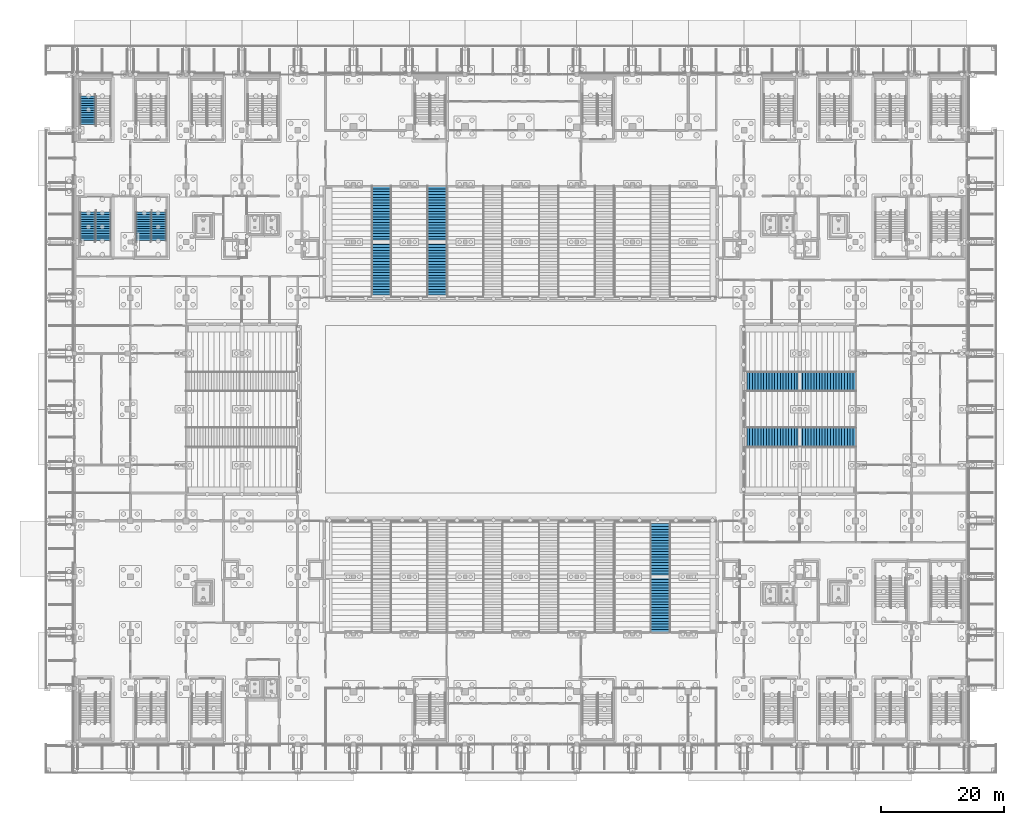
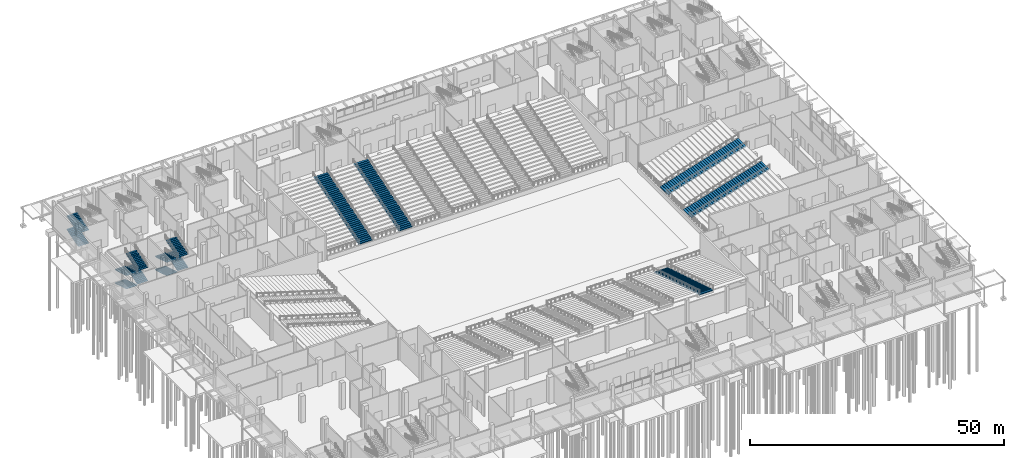
# One storey, part 90 of 129: 15 stair flights, 8 elements without a shape of their own.
"""IFC4 building model written with IfcOpenShell, lengths in metres."""

from ifc_helpers import new_model, si_unit, direction, frame, origin, place, context, subcontext, project, spatial, polyline, outline, extrude, material, type_object, element, aggregate, save


model = new_model("IFC4")

# Units and contexts
model_context = context("Model", 3, precision=1e-05, world=origin(), true_north=direction((0.0, 1.0)))
body_context = subcontext(model_context, "Body", "Model", "MODEL_VIEW")
ifc_project = project(units=[si_unit("LENGTHUNIT", "METRE"), si_unit("AREAUNIT", "SQUARE_METRE"), si_unit("VOLUMEUNIT", "CUBIC_METRE"), si_unit("PLANEANGLEUNIT", "RADIAN"), si_unit("MASSUNIT", "GRAM", prefix="KILO")], contexts=[model_context])

# Site, building, storey
site_placement = place(None, origin())
site = spatial("IfcSite", under=ifc_project, at=site_placement, CompositionType="ELEMENT")
building_placement = place(site_placement, origin())
building = spatial("IfcBuilding", under=site, at=building_placement, Name="Shirokan Park Arena", CompositionType="ELEMENT")
storey_placement = place(building_placement, origin())
storey = spatial("IfcBuildingStorey", under=building, at=storey_placement, Name="L00", CompositionType="ELEMENT", Elevation=0.0)

# Stair, stair flights
ifc_material = material(Name="Concrete C30 precast", Category="concrete")
stair_type_1 = type_object("IfcStairType", Name="Stair 52 risers 122 x 385 2400 wide", PredefinedType="DOUBLE_RETURN_STAIR", material=ifc_material)
stair_1_placement = place(storey_placement, origin())
stair_1 = element("IfcStair", 1, at=stair_1_placement, inside=storey, type_object=stair_type_1, Name="Exit Stair 4.A L00 to L01", PredefinedType="DOUBLE_RETURN_STAIR")
stair_flight_type_1 = type_object("IfcStairFlightType", Name="Stair flight 13 risers 122 x 385 2400 wide", PredefinedType="STRAIGHT", material=ifc_material)
stair_flight_1_placement = place(storey_placement, frame((2.14990234375, 101.050048828125, 0.0), z_axis=(0.0, 0.0, 1.0), x_axis=(0.0, 1.0, 0.0)))
stair_flight_1 = element("IfcStairFlight", 2, at=stair_flight_1_placement, type_object=stair_flight_type_1, Name="ST10.1 flight 1", NumberOfRisers=13, NumberOfTreads=12, PredefinedType="STRAIGHT", RiserHeight=0.1225, TreadLength=0.385, context=body_context, shape_type="SweptSolid", body=[
    extrude(outline(polyline([(0.0, 0.0), (0.0, 0.12255859375), (0.385009765625, 0.12255859375), (0.385009765625, 0.2451171875), (0.77001953125, 0.2451171875), (0.77001953125, 0.367431640625), (1.155029296875, 0.367431640625), (1.155029296875, 0.489990234375), (1.5400390625, 0.489990234375), (1.5400390625, 0.612548828125), (1.925048828125, 0.612548828125), (1.925048828125, 0.735107421875), (2.31005859375, 0.735107421875), (2.31005859375, 0.857421875), (2.695068359375, 0.857421875), (2.695068359375, 0.97998046875), (3.080078125, 0.97998046875), (3.080078125, 1.1025390625), (3.465087890625, 1.1025390625), (3.465087890625, 1.22509765625), (3.85009765625, 1.22509765625), (3.85009765625, 1.347412109375), (4.235107421875, 1.347412109375), (4.235107421875, 1.469970703125), (4.6201171875, 1.469970703125), (4.6201171875, 1.592529296875), (4.6201171875, 1.312744140625), (0.494384765625, 0.0), (0.0, 0.0)])), frame((0.0, 1.199951171875, 0.0), z_axis=(0.0, -1.0, 0.0), x_axis=(1.0, 0.0, 0.0)), (0.0, 0.0, 1.0), 2.39990234375),
])
stair_flight_2_placement = place(storey_placement, frame((2.14990234375, 101.050048828125, 3.18505859375), z_axis=(0.0, 0.0, 1.0), x_axis=(0.0, 1.0, 0.0)))
stair_flight_2 = element("IfcStairFlight", 3, at=stair_flight_2_placement, type_object=stair_flight_type_1, Name="ST10.1 flight 3", NumberOfRisers=13, NumberOfTreads=12, PredefinedType="STRAIGHT", RiserHeight=0.1225, TreadLength=0.385, context=body_context, shape_type="SweptSolid", body=[
    extrude(outline(polyline([(0.0, 0.0), (0.0, 0.12255859375), (0.385009765625, 0.12255859375), (0.385009765625, 0.2451171875), (0.77001953125, 0.2451171875), (0.77001953125, 0.367431640625), (1.155029296875, 0.367431640625), (1.155029296875, 0.489990234375), (1.5400390625, 0.489990234375), (1.5400390625, 0.612548828125), (1.925048828125, 0.612548828125), (1.925048828125, 0.735107421875), (2.31005859375, 0.735107421875), (2.31005859375, 0.857421875), (2.695068359375, 0.857421875), (2.695068359375, 0.97998046875), (3.080078125, 0.97998046875), (3.080078125, 1.1025390625), (3.465087890625, 1.1025390625), (3.465087890625, 1.22509765625), (3.85009765625, 1.22509765625), (3.85009765625, 1.347412109375), (4.235107421875, 1.347412109375), (4.235107421875, 1.469970703125), (4.6201171875, 1.469970703125), (4.6201171875, 1.592529296875), (4.6201171875, 1.312744140625), (0.494384765625, 0.0), (0.0, 0.0)])), frame((0.0, 1.199951171875, 0.0), z_axis=(0.0, -1.0, 0.0), x_axis=(1.0, 0.0, 0.0)), (0.0, 0.0, 1.0), 2.39990234375),
])
aggregate(stair_1, [stair_flight_1, stair_flight_2])

stair_2_placement = place(storey_placement, origin())
stair_2 = element("IfcStair", 4, at=stair_2_placement, inside=storey, type_object=stair_type_1, Name="Exit Stair 4.E L00 to L01", PredefinedType="DOUBLE_RETURN_STAIR")
stair_flight_3_placement = place(storey_placement, frame((2.14990234375, 86.75, 0.0), z_axis=(0.0, 0.0, 1.0), x_axis=(0.0, -1.0, 0.0)))
stair_flight_3 = element("IfcStairFlight", 5, at=stair_flight_3_placement, type_object=stair_flight_type_1, Name="ST14.1 flight 1", NumberOfRisers=13, NumberOfTreads=12, PredefinedType="STRAIGHT", RiserHeight=0.1225, TreadLength=0.385, context=body_context, shape_type="SweptSolid", body=[
    extrude(outline(polyline([(0.0, 0.0), (0.0, 0.12255859375), (0.385009765625, 0.12255859375), (0.385009765625, 0.2451171875), (0.77001953125, 0.2451171875), (0.77001953125, 0.367431640625), (1.155029296875, 0.367431640625), (1.155029296875, 0.489990234375), (1.5400390625, 0.489990234375), (1.5400390625, 0.612548828125), (1.925048828125, 0.612548828125), (1.925048828125, 0.735107421875), (2.31005859375, 0.735107421875), (2.31005859375, 0.857421875), (2.695068359375, 0.857421875), (2.695068359375, 0.97998046875), (3.080078125, 0.97998046875), (3.080078125, 1.1025390625), (3.465087890625, 1.1025390625), (3.465087890625, 1.22509765625), (3.85009765625, 1.22509765625), (3.85009765625, 1.347412109375), (4.235107421875, 1.347412109375), (4.235107421875, 1.469970703125), (4.6201171875, 1.469970703125), (4.6201171875, 1.592529296875), (4.6201171875, 1.312744140625), (0.494384765625, 0.0), (0.0, 0.0)])), frame((0.0, 1.199951171875, 0.0), z_axis=(0.0, -1.0, 0.0), x_axis=(1.0, 0.0, 0.0)), (0.0, 0.0, 1.0), 2.39990234375),
])
stair_flight_4_placement = place(storey_placement, frame((4.64990234375, 82.1298828125, 1.592529296875), z_axis=(0.0, 0.0, 1.0), x_axis=(0.0, 1.0, 0.0)))
stair_flight_4 = element("IfcStairFlight", 6, at=stair_flight_4_placement, type_object=stair_flight_type_1, Name="ST14.1 flight 2", NumberOfRisers=13, NumberOfTreads=12, PredefinedType="STRAIGHT", RiserHeight=0.1225, TreadLength=0.385, context=body_context, shape_type="SweptSolid", body=[
    extrude(outline(polyline([(0.0, 0.0), (0.0, 0.12255859375), (0.385009765625, 0.12255859375), (0.385009765625, 0.2451171875), (0.77001953125, 0.2451171875), (0.77001953125, 0.367431640625), (1.155029296875, 0.367431640625), (1.155029296875, 0.489990234375), (1.5400390625, 0.489990234375), (1.5400390625, 0.612548828125), (1.925048828125, 0.612548828125), (1.925048828125, 0.735107421875), (2.31005859375, 0.735107421875), (2.31005859375, 0.857421875), (2.695068359375, 0.857421875), (2.695068359375, 0.97998046875), (3.080078125, 0.97998046875), (3.080078125, 1.1025390625), (3.465087890625, 1.1025390625), (3.465087890625, 1.22509765625), (3.85009765625, 1.22509765625), (3.85009765625, 1.347412109375), (4.235107421875, 1.347412109375), (4.235107421875, 1.469970703125), (4.6201171875, 1.469970703125), (4.6201171875, 1.592529296875), (4.6201171875, 1.312744140625), (0.494384765625, 0.0), (0.0, 0.0)])), frame((0.0, 1.199951171875, 0.0), z_axis=(0.0, -1.0, 0.0), x_axis=(1.0, 0.0, 0.0)), (0.0, 0.0, 1.0), 2.39990234375),
])
stair_flight_5_placement = place(storey_placement, frame((2.14990234375, 86.75, 3.18505859375), z_axis=(0.0, 0.0, 1.0), x_axis=(0.0, -1.0, 0.0)))
stair_flight_5 = element("IfcStairFlight", 7, at=stair_flight_5_placement, type_object=stair_flight_type_1, Name="ST14.1 flight 3", NumberOfRisers=13, NumberOfTreads=12, PredefinedType="STRAIGHT", RiserHeight=0.1225, TreadLength=0.385, context=body_context, shape_type="SweptSolid", body=[
    extrude(outline(polyline([(0.0, 0.0), (0.0, 0.12255859375), (0.385009765625, 0.12255859375), (0.385009765625, 0.2451171875), (0.77001953125, 0.2451171875), (0.77001953125, 0.367431640625), (1.155029296875, 0.367431640625), (1.155029296875, 0.489990234375), (1.5400390625, 0.489990234375), (1.5400390625, 0.612548828125), (1.925048828125, 0.612548828125), (1.925048828125, 0.735107421875), (2.31005859375, 0.735107421875), (2.31005859375, 0.857421875), (2.695068359375, 0.857421875), (2.695068359375, 0.97998046875), (3.080078125, 0.97998046875), (3.080078125, 1.1025390625), (3.465087890625, 1.1025390625), (3.465087890625, 1.22509765625), (3.85009765625, 1.22509765625), (3.85009765625, 1.347412109375), (4.235107421875, 1.347412109375), (4.235107421875, 1.469970703125), (4.6201171875, 1.469970703125), (4.6201171875, 1.592529296875), (4.6201171875, 1.312744140625), (0.494384765625, 0.0), (0.0, 0.0)])), frame((0.0, 1.199951171875, 0.0), z_axis=(0.0, -1.0, 0.0), x_axis=(1.0, 0.0, 0.0)), (0.0, 0.0, 1.0), 2.39990234375),
])
stair_flight_6_placement = place(storey_placement, frame((4.64990234375, 82.1298828125, 4.777587890625), z_axis=(0.0, 0.0, 1.0), x_axis=(0.0, 1.0, 0.0)))
stair_flight_6 = element("IfcStairFlight", 8, at=stair_flight_6_placement, type_object=stair_flight_type_1, Name="ST14.1 flight 4", NumberOfRisers=13, NumberOfTreads=12, PredefinedType="STRAIGHT", RiserHeight=0.1225, TreadLength=0.385, context=body_context, shape_type="SweptSolid", body=[
    extrude(outline(polyline([(0.0, 0.0), (0.0, 0.12255859375), (0.385009765625, 0.12255859375), (0.385009765625, 0.2451171875), (0.77001953125, 0.2451171875), (0.77001953125, 0.367431640625), (1.155029296875, 0.367431640625), (1.155029296875, 0.489990234375), (1.5400390625, 0.489990234375), (1.5400390625, 0.612548828125), (1.925048828125, 0.612548828125), (1.925048828125, 0.735107421875), (2.31005859375, 0.735107421875), (2.31005859375, 0.857421875), (2.695068359375, 0.857421875), (2.695068359375, 0.97998046875), (3.080078125, 0.97998046875), (3.080078125, 1.1025390625), (3.465087890625, 1.1025390625), (3.465087890625, 1.22509765625), (3.85009765625, 1.22509765625), (3.85009765625, 1.347412109375), (4.235107421875, 1.347412109375), (4.235107421875, 1.469970703125), (4.6201171875, 1.469970703125), (4.6201171875, 1.592529296875), (4.6201171875, 1.312744140625), (0.494384765625, 0.0), (0.0, 0.0)])), frame((0.0, 1.199951171875, 0.0), z_axis=(0.0, -1.0, 0.0), x_axis=(1.0, 0.0, 0.0)), (0.0, 0.0, 1.0), 2.39990234375),
])
aggregate(stair_2, [stair_flight_3, stair_flight_4, stair_flight_5, stair_flight_6])

stair_3_placement = place(storey_placement, origin())
stair_3 = element("IfcStair", 9, at=stair_3_placement, inside=storey, type_object=stair_type_1, Name="Exit Stair 4.F L00 to L01", PredefinedType="DOUBLE_RETURN_STAIR")
stair_flight_7_placement = place(storey_placement, frame((11.25, 86.75, 0.0), z_axis=(0.0, 0.0, 1.0), x_axis=(0.0, -1.0, 0.0)))
stair_flight_7 = element("IfcStairFlight", 10, at=stair_flight_7_placement, type_object=stair_flight_type_1, Name="ST15.1 flight 1", NumberOfRisers=13, NumberOfTreads=12, PredefinedType="STRAIGHT", RiserHeight=0.1225, TreadLength=0.385, context=body_context, shape_type="SweptSolid", body=[
    extrude(outline(polyline([(0.0, 0.0), (0.0, 0.12255859375), (0.385009765625, 0.12255859375), (0.385009765625, 0.2451171875), (0.77001953125, 0.2451171875), (0.77001953125, 0.367431640625), (1.155029296875, 0.367431640625), (1.155029296875, 0.489990234375), (1.5400390625, 0.489990234375), (1.5400390625, 0.612548828125), (1.925048828125, 0.612548828125), (1.925048828125, 0.735107421875), (2.31005859375, 0.735107421875), (2.31005859375, 0.857421875), (2.695068359375, 0.857421875), (2.695068359375, 0.97998046875), (3.080078125, 0.97998046875), (3.080078125, 1.1025390625), (3.465087890625, 1.1025390625), (3.465087890625, 1.22509765625), (3.85009765625, 1.22509765625), (3.85009765625, 1.347412109375), (4.235107421875, 1.347412109375), (4.235107421875, 1.469970703125), (4.6201171875, 1.469970703125), (4.6201171875, 1.592529296875), (4.6201171875, 1.312744140625), (0.494384765625, 0.0), (0.0, 0.0)])), frame((0.0, 1.199951171875, 0.0), z_axis=(0.0, -1.0, 0.0), x_axis=(1.0, 0.0, 0.0)), (0.0, 0.0, 1.0), 2.39990234375),
])
stair_flight_8_placement = place(storey_placement, frame((13.75, 82.1298828125, 1.592529296875), z_axis=(0.0, 0.0, 1.0), x_axis=(0.0, 1.0, 0.0)))
stair_flight_8 = element("IfcStairFlight", 11, at=stair_flight_8_placement, type_object=stair_flight_type_1, Name="ST15.1 flight 2", NumberOfRisers=13, NumberOfTreads=12, PredefinedType="STRAIGHT", RiserHeight=0.1225, TreadLength=0.385, context=body_context, shape_type="SweptSolid", body=[
    extrude(outline(polyline([(0.0, 0.0), (0.0, 0.12255859375), (0.385009765625, 0.12255859375), (0.385009765625, 0.2451171875), (0.77001953125, 0.2451171875), (0.77001953125, 0.367431640625), (1.155029296875, 0.367431640625), (1.155029296875, 0.489990234375), (1.5400390625, 0.489990234375), (1.5400390625, 0.612548828125), (1.925048828125, 0.612548828125), (1.925048828125, 0.735107421875), (2.31005859375, 0.735107421875), (2.31005859375, 0.857421875), (2.695068359375, 0.857421875), (2.695068359375, 0.97998046875), (3.080078125, 0.97998046875), (3.080078125, 1.1025390625), (3.465087890625, 1.1025390625), (3.465087890625, 1.22509765625), (3.85009765625, 1.22509765625), (3.85009765625, 1.347412109375), (4.235107421875, 1.347412109375), (4.235107421875, 1.469970703125), (4.6201171875, 1.469970703125), (4.6201171875, 1.592529296875), (4.6201171875, 1.312744140625), (0.494384765625, 0.0), (0.0, 0.0)])), frame((0.0, 1.199951171875, 0.0), z_axis=(0.0, -1.0, 0.0), x_axis=(1.0, 0.0, 0.0)), (0.0, 0.0, 1.0), 2.39990234375),
])
stair_flight_9_placement = place(storey_placement, frame((11.25, 86.75, 3.18505859375), z_axis=(0.0, 0.0, 1.0), x_axis=(0.0, -1.0, 0.0)))
stair_flight_9 = element("IfcStairFlight", 12, at=stair_flight_9_placement, type_object=stair_flight_type_1, Name="ST15.1 flight 3", NumberOfRisers=13, NumberOfTreads=12, PredefinedType="STRAIGHT", RiserHeight=0.1225, TreadLength=0.385, context=body_context, shape_type="SweptSolid", body=[
    extrude(outline(polyline([(0.0, 0.0), (0.0, 0.12255859375), (0.385009765625, 0.12255859375), (0.385009765625, 0.2451171875), (0.77001953125, 0.2451171875), (0.77001953125, 0.367431640625), (1.155029296875, 0.367431640625), (1.155029296875, 0.489990234375), (1.5400390625, 0.489990234375), (1.5400390625, 0.612548828125), (1.925048828125, 0.612548828125), (1.925048828125, 0.735107421875), (2.31005859375, 0.735107421875), (2.31005859375, 0.857421875), (2.695068359375, 0.857421875), (2.695068359375, 0.97998046875), (3.080078125, 0.97998046875), (3.080078125, 1.1025390625), (3.465087890625, 1.1025390625), (3.465087890625, 1.22509765625), (3.85009765625, 1.22509765625), (3.85009765625, 1.347412109375), (4.235107421875, 1.347412109375), (4.235107421875, 1.469970703125), (4.6201171875, 1.469970703125), (4.6201171875, 1.592529296875), (4.6201171875, 1.312744140625), (0.494384765625, 0.0), (0.0, 0.0)])), frame((0.0, 1.199951171875, 0.0), z_axis=(0.0, -1.0, 0.0), x_axis=(1.0, 0.0, 0.0)), (0.0, 0.0, 1.0), 2.39990234375),
])
stair_flight_10_placement = place(storey_placement, frame((13.75, 82.1298828125, 4.777587890625), z_axis=(0.0, 0.0, 1.0), x_axis=(0.0, 1.0, 0.0)))
stair_flight_10 = element("IfcStairFlight", 13, at=stair_flight_10_placement, type_object=stair_flight_type_1, Name="ST15.1 flight 4", NumberOfRisers=13, NumberOfTreads=12, PredefinedType="STRAIGHT", RiserHeight=0.1225, TreadLength=0.385, context=body_context, shape_type="SweptSolid", body=[
    extrude(outline(polyline([(0.0, 0.0), (0.0, 0.12255859375), (0.385009765625, 0.12255859375), (0.385009765625, 0.2451171875), (0.77001953125, 0.2451171875), (0.77001953125, 0.367431640625), (1.155029296875, 0.367431640625), (1.155029296875, 0.489990234375), (1.5400390625, 0.489990234375), (1.5400390625, 0.612548828125), (1.925048828125, 0.612548828125), (1.925048828125, 0.735107421875), (2.31005859375, 0.735107421875), (2.31005859375, 0.857421875), (2.695068359375, 0.857421875), (2.695068359375, 0.97998046875), (3.080078125, 0.97998046875), (3.080078125, 1.1025390625), (3.465087890625, 1.1025390625), (3.465087890625, 1.22509765625), (3.85009765625, 1.22509765625), (3.85009765625, 1.347412109375), (4.235107421875, 1.347412109375), (4.235107421875, 1.469970703125), (4.6201171875, 1.469970703125), (4.6201171875, 1.592529296875), (4.6201171875, 1.312744140625), (0.494384765625, 0.0), (0.0, 0.0)])), frame((0.0, 1.199951171875, 0.0), z_axis=(0.0, -1.0, 0.0), x_axis=(1.0, 0.0, 0.0)), (0.0, 0.0, 1.0), 2.39990234375),
])
aggregate(stair_3, [stair_flight_7, stair_flight_8, stair_flight_9, stair_flight_10])

# Stair, stair flight
stair_type_2 = type_object("IfcStairType", Name="Stair 40 risers 140 x 455 3200 wide", PredefinedType="STRAIGHT_RUN_STAIR", material=ifc_material)
stair_4_placement = place(storey_placement, origin())
stair_4 = element("IfcStair", 14, at=stair_4_placement, inside=storey, type_object=stair_type_2, Name="Vomitory stair N1 lower", PredefinedType="STRAIGHT_RUN_STAIR")
stair_flight_type_2 = type_object("IfcStairFlightType", Name="Stair flight 40 risers 140 x 455 3200 wide", PredefinedType="STRAIGHT", material=ifc_material)
stair_flight_11_placement = place(storey_placement, frame((50.050048828125, 73.2548828125, 0.77001953125), z_axis=(0.0, 0.0, 1.0), x_axis=(0.0, 1.0, 0.0)))
stair_flight_11 = element("IfcStairFlight", 15, at=stair_flight_11_placement, type_object=stair_flight_type_2, Name="VS-N1L flight 1", NumberOfRisers=40, NumberOfTreads=39, PredefinedType="STRAIGHT", RiserHeight=0.14, TreadLength=0.455, context=body_context, shape_type="SweptSolid", body=[
    extrude(outline(polyline([(0.0, -0.0693359375), (0.0, 0.0), (0.0, 0.139892578125), (0.455078125, 0.139892578125), (0.455078125, 0.280029296875), (0.909912109375, 0.280029296875), (0.909912109375, 0.419921875), (1.364990234375, 0.419921875), (1.364990234375, 0.56005859375), (1.820068359375, 0.56005859375), (1.820068359375, 0.699951171875), (2.27490234375, 0.699951171875), (2.27490234375, 0.840087890625), (2.72998046875, 0.840087890625), (2.72998046875, 0.97998046875), (3.18505859375, 0.97998046875), (3.18505859375, 1.1201171875), (3.639892578125, 1.1201171875), (3.639892578125, 1.260009765625), (4.094970703125, 1.260009765625), (4.094970703125, 1.39990234375), (4.550048828125, 1.39990234375), (4.550048828125, 1.5400390625), (5.0048828125, 1.5400390625), (5.0048828125, 1.679931640625), (5.4599609375, 1.679931640625), (5.4599609375, 1.820068359375), (5.9150390625, 1.820068359375), (5.9150390625, 1.9599609375), (6.3701171875, 1.9599609375), (6.3701171875, 2.10009765625), (6.824951171875, 2.10009765625), (6.824951171875, 2.239990234375), (7.280029296875, 2.239990234375), (7.280029296875, 2.3798828125), (7.735107421875, 2.3798828125), (7.735107421875, 2.52001953125), (8.18994140625, 2.52001953125), (8.18994140625, 2.659912109375), (8.64501953125, 2.659912109375), (8.64501953125, 2.800048828125), (9.10009765625, 2.800048828125), (9.10009765625, 2.93994140625), (9.554931640625, 2.93994140625), (9.554931640625, 3.080078125), (10.010009765625, 3.080078125), (10.010009765625, 3.219970703125), (10.465087890625, 3.219970703125), (10.465087890625, 3.360107421875), (10.919921875, 3.360107421875), (10.919921875, 3.5), (11.375, 3.5), (11.375, 3.639892578125), (11.830078125, 3.639892578125), (11.830078125, 3.780029296875), (12.284912109375, 3.780029296875), (12.284912109375, 3.919921875), (12.739990234375, 3.919921875), (12.739990234375, 4.06005859375), (13.195068359375, 4.06005859375), (13.195068359375, 4.199951171875), (13.64990234375, 4.199951171875), (13.64990234375, 4.340087890625), (14.10498046875, 4.340087890625), (14.10498046875, 4.47998046875), (14.56005859375, 4.47998046875), (14.56005859375, 4.6201171875), (15.014892578125, 4.6201171875), (15.014892578125, 4.760009765625), (15.469970703125, 4.760009765625), (15.469970703125, 4.89990234375), (15.925048828125, 4.89990234375), (15.925048828125, 5.0400390625), (16.3798828125, 5.0400390625), (16.3798828125, 5.179931640625), (16.8349609375, 5.179931640625), (16.8349609375, 5.320068359375), (17.2900390625, 5.320068359375), (17.2900390625, 5.4599609375), (17.7451171875, 5.4599609375), (17.7451171875, 5.60009765625), (17.7451171875, 5.25), (17.544921875, 5.25), (17.544921875, 5.329345703125), (0.0, -0.0693359375)])), frame((0.0, 1.60009765625, 0.0), z_axis=(0.0, -1.0, 0.0), x_axis=(1.0, 0.0, 0.0)), (0.0, 0.0, 1.0), 3.199951171875),
])
aggregate(stair_4, [stair_flight_11])

stair_5_placement = place(storey_placement, origin())
stair_5 = element("IfcStair", 16, at=stair_5_placement, inside=storey, type_object=stair_type_2, Name="Vomitory stair N2 lower", PredefinedType="STRAIGHT_RUN_STAIR")
stair_flight_12_placement = place(storey_placement, frame((59.14990234375, 73.2548828125, 0.77001953125), z_axis=(0.0, 0.0, 1.0), x_axis=(0.0, 1.0, 0.0)))
stair_flight_12 = element("IfcStairFlight", 17, at=stair_flight_12_placement, type_object=stair_flight_type_2, Name="VS-N2L flight 1", NumberOfRisers=40, NumberOfTreads=39, PredefinedType="STRAIGHT", RiserHeight=0.14, TreadLength=0.455, context=body_context, shape_type="SweptSolid", body=[
    extrude(outline(polyline([(0.0, -0.0693359375), (0.0, 0.0), (0.0, 0.139892578125), (0.455078125, 0.139892578125), (0.455078125, 0.280029296875), (0.909912109375, 0.280029296875), (0.909912109375, 0.419921875), (1.364990234375, 0.419921875), (1.364990234375, 0.56005859375), (1.820068359375, 0.56005859375), (1.820068359375, 0.699951171875), (2.27490234375, 0.699951171875), (2.27490234375, 0.840087890625), (2.72998046875, 0.840087890625), (2.72998046875, 0.97998046875), (3.18505859375, 0.97998046875), (3.18505859375, 1.1201171875), (3.639892578125, 1.1201171875), (3.639892578125, 1.260009765625), (4.094970703125, 1.260009765625), (4.094970703125, 1.39990234375), (4.550048828125, 1.39990234375), (4.550048828125, 1.5400390625), (5.0048828125, 1.5400390625), (5.0048828125, 1.679931640625), (5.4599609375, 1.679931640625), (5.4599609375, 1.820068359375), (5.9150390625, 1.820068359375), (5.9150390625, 1.9599609375), (6.3701171875, 1.9599609375), (6.3701171875, 2.10009765625), (6.824951171875, 2.10009765625), (6.824951171875, 2.239990234375), (7.280029296875, 2.239990234375), (7.280029296875, 2.3798828125), (7.735107421875, 2.3798828125), (7.735107421875, 2.52001953125), (8.18994140625, 2.52001953125), (8.18994140625, 2.659912109375), (8.64501953125, 2.659912109375), (8.64501953125, 2.800048828125), (9.10009765625, 2.800048828125), (9.10009765625, 2.93994140625), (9.554931640625, 2.93994140625), (9.554931640625, 3.080078125), (10.010009765625, 3.080078125), (10.010009765625, 3.219970703125), (10.465087890625, 3.219970703125), (10.465087890625, 3.360107421875), (10.919921875, 3.360107421875), (10.919921875, 3.5), (11.375, 3.5), (11.375, 3.639892578125), (11.830078125, 3.639892578125), (11.830078125, 3.780029296875), (12.284912109375, 3.780029296875), (12.284912109375, 3.919921875), (12.739990234375, 3.919921875), (12.739990234375, 4.06005859375), (13.195068359375, 4.06005859375), (13.195068359375, 4.199951171875), (13.64990234375, 4.199951171875), (13.64990234375, 4.340087890625), (14.10498046875, 4.340087890625), (14.10498046875, 4.47998046875), (14.56005859375, 4.47998046875), (14.56005859375, 4.6201171875), (15.014892578125, 4.6201171875), (15.014892578125, 4.760009765625), (15.469970703125, 4.760009765625), (15.469970703125, 4.89990234375), (15.925048828125, 4.89990234375), (15.925048828125, 5.0400390625), (16.3798828125, 5.0400390625), (16.3798828125, 5.179931640625), (16.8349609375, 5.179931640625), (16.8349609375, 5.320068359375), (17.2900390625, 5.320068359375), (17.2900390625, 5.4599609375), (17.7451171875, 5.4599609375), (17.7451171875, 5.60009765625), (17.7451171875, 5.25), (17.544921875, 5.25), (17.544921875, 5.329345703125), (0.0, -0.0693359375)])), frame((0.0, 1.60009765625, 0.0), z_axis=(0.0, -1.0, 0.0), x_axis=(1.0, 0.0, 0.0)), (0.0, 0.0, 1.0), 3.199951171875),
])
aggregate(stair_5, [stair_flight_12])

stair_6_placement = place(storey_placement, origin())
stair_6 = element("IfcStair", 18, at=stair_6_placement, inside=storey, type_object=stair_type_2, Name="Vomitory stair S6 lower", PredefinedType="STRAIGHT_RUN_STAIR")
stair_flight_13_placement = place(storey_placement, frame((95.550048828125, 35.945068359375, 0.77001953125), z_axis=(0.0, 0.0, 1.0), x_axis=(0.0, -1.0, 0.0)))
stair_flight_13 = element("IfcStairFlight", 19, at=stair_flight_13_placement, type_object=stair_flight_type_2, Name="VS-S6L flight 1", NumberOfRisers=40, NumberOfTreads=39, PredefinedType="STRAIGHT", RiserHeight=0.14, TreadLength=0.455, context=body_context, shape_type="SweptSolid", body=[
    extrude(outline(polyline([(0.0, -0.0693359375), (0.0, 0.0), (0.0, 0.139892578125), (0.455078125, 0.139892578125), (0.455078125, 0.280029296875), (0.909912109375, 0.280029296875), (0.909912109375, 0.419921875), (1.364990234375, 0.419921875), (1.364990234375, 0.56005859375), (1.820068359375, 0.56005859375), (1.820068359375, 0.699951171875), (2.27490234375, 0.699951171875), (2.27490234375, 0.840087890625), (2.72998046875, 0.840087890625), (2.72998046875, 0.97998046875), (3.18505859375, 0.97998046875), (3.18505859375, 1.1201171875), (3.639892578125, 1.1201171875), (3.639892578125, 1.260009765625), (4.094970703125, 1.260009765625), (4.094970703125, 1.39990234375), (4.550048828125, 1.39990234375), (4.550048828125, 1.5400390625), (5.0048828125, 1.5400390625), (5.0048828125, 1.679931640625), (5.4599609375, 1.679931640625), (5.4599609375, 1.820068359375), (5.9150390625, 1.820068359375), (5.9150390625, 1.9599609375), (6.3701171875, 1.9599609375), (6.3701171875, 2.10009765625), (6.824951171875, 2.10009765625), (6.824951171875, 2.239990234375), (7.280029296875, 2.239990234375), (7.280029296875, 2.3798828125), (7.735107421875, 2.3798828125), (7.735107421875, 2.52001953125), (8.18994140625, 2.52001953125), (8.18994140625, 2.659912109375), (8.64501953125, 2.659912109375), (8.64501953125, 2.800048828125), (9.10009765625, 2.800048828125), (9.10009765625, 2.93994140625), (9.554931640625, 2.93994140625), (9.554931640625, 3.080078125), (10.010009765625, 3.080078125), (10.010009765625, 3.219970703125), (10.465087890625, 3.219970703125), (10.465087890625, 3.360107421875), (10.919921875, 3.360107421875), (10.919921875, 3.5), (11.375, 3.5), (11.375, 3.639892578125), (11.830078125, 3.639892578125), (11.830078125, 3.780029296875), (12.284912109375, 3.780029296875), (12.284912109375, 3.919921875), (12.739990234375, 3.919921875), (12.739990234375, 4.06005859375), (13.195068359375, 4.06005859375), (13.195068359375, 4.199951171875), (13.64990234375, 4.199951171875), (13.64990234375, 4.340087890625), (14.10498046875, 4.340087890625), (14.10498046875, 4.47998046875), (14.56005859375, 4.47998046875), (14.56005859375, 4.6201171875), (15.014892578125, 4.6201171875), (15.014892578125, 4.760009765625), (15.469970703125, 4.760009765625), (15.469970703125, 4.89990234375), (15.925048828125, 4.89990234375), (15.925048828125, 5.0400390625), (16.3798828125, 5.0400390625), (16.3798828125, 5.179931640625), (16.8349609375, 5.179931640625), (16.8349609375, 5.320068359375), (17.2900390625, 5.320068359375), (17.2900390625, 5.4599609375), (17.7451171875, 5.4599609375), (17.7451171875, 5.60009765625), (17.7451171875, 5.25), (17.544921875, 5.25), (17.544921875, 5.329345703125), (0.0, -0.0693359375)])), frame((0.0, 1.60009765625, 0.0), z_axis=(0.0, -1.0, 0.0), x_axis=(1.0, 0.0, 0.0)), (0.0, 0.0, 1.0), 3.199951171875),
])
aggregate(stair_6, [stair_flight_13])

stair_7_placement = place(storey_placement, origin())
stair_7 = element("IfcStair", 20, at=stair_7_placement, inside=storey, type_object=stair_type_2, Name="Vomitory stair E1 lower", PredefinedType="STRAIGHT_RUN_STAIR")
stair_flight_14_placement = place(storey_placement, frame((109.655029296875, 50.050048828125, 0.77001953125), z_axis=(0.0, 0.0, 1.0), x_axis=(1.0, 0.0, 0.0)))
stair_flight_14 = element("IfcStairFlight", 21, at=stair_flight_14_placement, type_object=stair_flight_type_2, Name="VS-E1L flight 1", NumberOfRisers=40, NumberOfTreads=39, PredefinedType="STRAIGHT", RiserHeight=0.14, TreadLength=0.455, context=body_context, shape_type="SweptSolid", body=[
    extrude(outline(polyline([(0.0, -0.0693359375), (0.0, 0.0), (0.0, 0.139892578125), (0.455078125, 0.139892578125), (0.455078125, 0.280029296875), (0.909912109375, 0.280029296875), (0.909912109375, 0.419921875), (1.364990234375, 0.419921875), (1.364990234375, 0.56005859375), (1.820068359375, 0.56005859375), (1.820068359375, 0.699951171875), (2.27490234375, 0.699951171875), (2.27490234375, 0.840087890625), (2.72998046875, 0.840087890625), (2.72998046875, 0.97998046875), (3.18505859375, 0.97998046875), (3.18505859375, 1.1201171875), (3.639892578125, 1.1201171875), (3.639892578125, 1.260009765625), (4.094970703125, 1.260009765625), (4.094970703125, 1.39990234375), (4.550048828125, 1.39990234375), (4.550048828125, 1.5400390625), (5.0048828125, 1.5400390625), (5.0048828125, 1.679931640625), (5.4599609375, 1.679931640625), (5.4599609375, 1.820068359375), (5.9150390625, 1.820068359375), (5.9150390625, 1.9599609375), (6.3701171875, 1.9599609375), (6.3701171875, 2.10009765625), (6.824951171875, 2.10009765625), (6.824951171875, 2.239990234375), (7.280029296875, 2.239990234375), (7.280029296875, 2.3798828125), (7.735107421875, 2.3798828125), (7.735107421875, 2.52001953125), (8.18994140625, 2.52001953125), (8.18994140625, 2.659912109375), (8.64501953125, 2.659912109375), (8.64501953125, 2.800048828125), (9.10009765625, 2.800048828125), (9.10009765625, 2.93994140625), (9.554931640625, 2.93994140625), (9.554931640625, 3.080078125), (10.010009765625, 3.080078125), (10.010009765625, 3.219970703125), (10.465087890625, 3.219970703125), (10.465087890625, 3.360107421875), (10.919921875, 3.360107421875), (10.919921875, 3.5), (11.375, 3.5), (11.375, 3.639892578125), (11.830078125, 3.639892578125), (11.830078125, 3.780029296875), (12.284912109375, 3.780029296875), (12.284912109375, 3.919921875), (12.739990234375, 3.919921875), (12.739990234375, 4.06005859375), (13.195068359375, 4.06005859375), (13.195068359375, 4.199951171875), (13.64990234375, 4.199951171875), (13.64990234375, 4.340087890625), (14.10498046875, 4.340087890625), (14.10498046875, 4.47998046875), (14.56005859375, 4.47998046875), (14.56005859375, 4.6201171875), (15.014892578125, 4.6201171875), (15.014892578125, 4.760009765625), (15.469970703125, 4.760009765625), (15.469970703125, 4.89990234375), (15.925048828125, 4.89990234375), (15.925048828125, 5.0400390625), (16.3798828125, 5.0400390625), (16.3798828125, 5.179931640625), (16.8349609375, 5.179931640625), (16.8349609375, 5.320068359375), (17.2900390625, 5.320068359375), (17.2900390625, 5.4599609375), (17.7451171875, 5.4599609375), (17.7451171875, 5.60009765625), (17.7451171875, 5.25), (17.544921875, 5.25), (17.544921875, 5.329345703125), (0.0, -0.0693359375)])), frame((0.0, 1.60009765625, 0.0), z_axis=(0.0, -1.0, 0.0), x_axis=(1.0, 0.0, 0.0)), (0.0, 0.0, 1.0), 3.199951171875),
])
aggregate(stair_7, [stair_flight_14])

stair_8_placement = place(storey_placement, origin())
stair_8 = element("IfcStair", 22, at=stair_8_placement, inside=storey, type_object=stair_type_2, Name="Vomitory stair E2 lower", PredefinedType="STRAIGHT_RUN_STAIR")
stair_flight_15_placement = place(storey_placement, frame((109.655029296875, 59.14990234375, 0.77001953125), z_axis=(0.0, 0.0, 1.0), x_axis=(1.0, 0.0, 0.0)))
stair_flight_15 = element("IfcStairFlight", 23, at=stair_flight_15_placement, type_object=stair_flight_type_2, Name="VS-E2L flight 1", NumberOfRisers=40, NumberOfTreads=39, PredefinedType="STRAIGHT", RiserHeight=0.14, TreadLength=0.455, context=body_context, shape_type="SweptSolid", body=[
    extrude(outline(polyline([(0.0, -0.0693359375), (0.0, 0.0), (0.0, 0.139892578125), (0.455078125, 0.139892578125), (0.455078125, 0.280029296875), (0.909912109375, 0.280029296875), (0.909912109375, 0.419921875), (1.364990234375, 0.419921875), (1.364990234375, 0.56005859375), (1.820068359375, 0.56005859375), (1.820068359375, 0.699951171875), (2.27490234375, 0.699951171875), (2.27490234375, 0.840087890625), (2.72998046875, 0.840087890625), (2.72998046875, 0.97998046875), (3.18505859375, 0.97998046875), (3.18505859375, 1.1201171875), (3.639892578125, 1.1201171875), (3.639892578125, 1.260009765625), (4.094970703125, 1.260009765625), (4.094970703125, 1.39990234375), (4.550048828125, 1.39990234375), (4.550048828125, 1.5400390625), (5.0048828125, 1.5400390625), (5.0048828125, 1.679931640625), (5.4599609375, 1.679931640625), (5.4599609375, 1.820068359375), (5.9150390625, 1.820068359375), (5.9150390625, 1.9599609375), (6.3701171875, 1.9599609375), (6.3701171875, 2.10009765625), (6.824951171875, 2.10009765625), (6.824951171875, 2.239990234375), (7.280029296875, 2.239990234375), (7.280029296875, 2.3798828125), (7.735107421875, 2.3798828125), (7.735107421875, 2.52001953125), (8.18994140625, 2.52001953125), (8.18994140625, 2.659912109375), (8.64501953125, 2.659912109375), (8.64501953125, 2.800048828125), (9.10009765625, 2.800048828125), (9.10009765625, 2.93994140625), (9.554931640625, 2.93994140625), (9.554931640625, 3.080078125), (10.010009765625, 3.080078125), (10.010009765625, 3.219970703125), (10.465087890625, 3.219970703125), (10.465087890625, 3.360107421875), (10.919921875, 3.360107421875), (10.919921875, 3.5), (11.375, 3.5), (11.375, 3.639892578125), (11.830078125, 3.639892578125), (11.830078125, 3.780029296875), (12.284912109375, 3.780029296875), (12.284912109375, 3.919921875), (12.739990234375, 3.919921875), (12.739990234375, 4.06005859375), (13.195068359375, 4.06005859375), (13.195068359375, 4.199951171875), (13.64990234375, 4.199951171875), (13.64990234375, 4.340087890625), (14.10498046875, 4.340087890625), (14.10498046875, 4.47998046875), (14.56005859375, 4.47998046875), (14.56005859375, 4.6201171875), (15.014892578125, 4.6201171875), (15.014892578125, 4.760009765625), (15.469970703125, 4.760009765625), (15.469970703125, 4.89990234375), (15.925048828125, 4.89990234375), (15.925048828125, 5.0400390625), (16.3798828125, 5.0400390625), (16.3798828125, 5.179931640625), (16.8349609375, 5.179931640625), (16.8349609375, 5.320068359375), (17.2900390625, 5.320068359375), (17.2900390625, 5.4599609375), (17.7451171875, 5.4599609375), (17.7451171875, 5.60009765625), (17.7451171875, 5.25), (17.544921875, 5.25), (17.544921875, 5.329345703125), (0.0, -0.0693359375)])), frame((0.0, 1.60009765625, 0.0), z_axis=(0.0, -1.0, 0.0), x_axis=(1.0, 0.0, 0.0)), (0.0, 0.0, 1.0), 3.199951171875),
])
aggregate(stair_8, [stair_flight_15])

save(model, "model.ifc")
